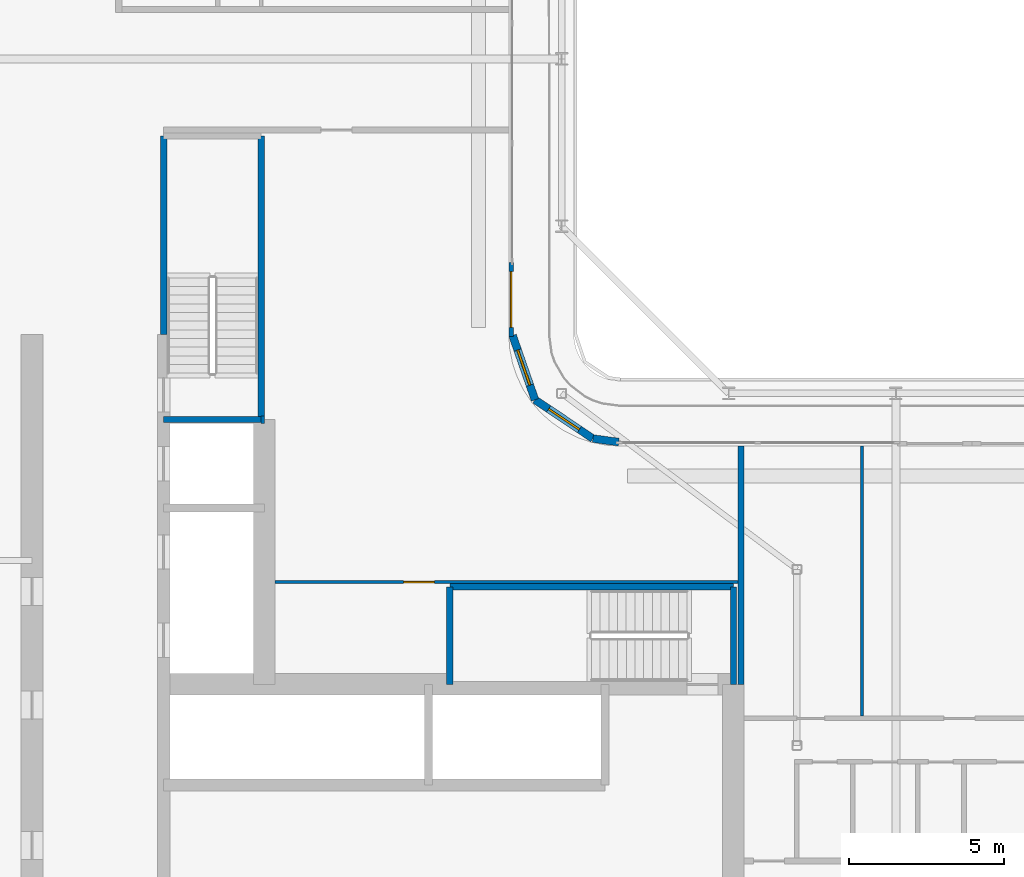
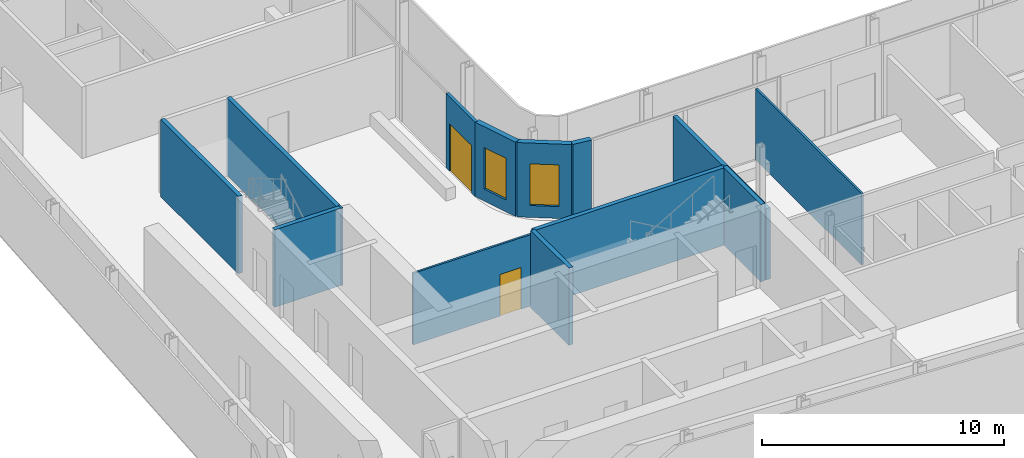
# One storey, part 11 of 23: 14 walls, 2 doors, 2 windows, 4 openings.
"""IFC4 building model written with IfcOpenShell, lengths in metres."""

from ifc_helpers import new_model, si_unit, direction, frame, frame_2d, origin, place, context, subcontext, project, spatial, rectangle, extrude, source, transform, mapped, material, layer, layer_set, type_object, element, fill, save


model = new_model("IFC4")

# Units and contexts
model_context = context("Model", 3, precision=1e-05, world=origin(), true_north=direction((0.0, 1.0)))
body_context = subcontext(model_context, "Body", "Model", "MODEL_VIEW")
ifc_project = project(units=[si_unit("LENGTHUNIT", "METRE"), si_unit("AREAUNIT", "SQUARE_METRE"), si_unit("VOLUMEUNIT", "CUBIC_METRE"), si_unit("PLANEANGLEUNIT", "RADIAN"), si_unit("MASSUNIT", "GRAM", prefix="KILO")], contexts=[model_context])

# Site, building, storey
site_placement = place(None, origin())
site = spatial("IfcSite", under=ifc_project, at=site_placement, CompositionType="ELEMENT")
building_placement = place(site_placement, origin())
building = spatial("IfcBuilding", under=site, at=building_placement, Name="Kheshtan School and Residences Tower", CompositionType="ELEMENT")
storey_placement = place(building_placement, frame((0.0, 0.0, 247.39990234375)))
storey = spatial("IfcBuildingStorey", under=building, at=storey_placement, Name="L58", CompositionType="ELEMENT", Elevation=247.39990234375)

# Wall, opening, window
ifc_material_1 = material(Name="Concrete C40/50 with ceramic cladding and mineral wool insulation", Category="concrete")
ifc_layer_1 = layer(ifc_material_1, 0.25)
ifc_layer_set_1 = layer_set([ifc_layer_1], Name="External wall 250 ceramic clad")
wall_type_1 = type_object("IfcWallType", Name="External wall 250 ceramic clad", PredefinedType="SOLIDWALL", material=ifc_layer_set_1)
wall_1_placement = place(storey_placement, frame((46.01806640625, 47.470947265625, 0.0), z_axis=(0.0, 0.0, 1.0), x_axis=(0.328791208903, -0.944402637093, 0.0)))
wall_1 = element("IfcWall", 1, at=wall_1_placement, inside=storey, type_object=wall_type_1, Name="External wall L58 9", PredefinedType="SOLIDWALL", context=body_context, shape_type="SweptSolid", body=[
    extrude(rectangle(XDim=2.20458984375, YDim=0.25, at=frame_2d((1.102294921875, 0.0))), origin(), (0.0, 0.0, 1.0), 3.75),
])
opening_1_placement = place(wall_1_placement, frame((0.5029296875, 0.0, 0.60009765625)))
opening_1 = element("IfcOpeningElement", 2, at=opening_1_placement, cuts=wall_1, Name="Opening WN-E", PredefinedType="OPENING", context=body_context, shape_type="SweptSolid", body=[
    extrude(rectangle(XDim=1.199951171875, YDim=2.10009765625, at=frame_2d((0.60009765625, 1.050048828125))), frame((0.0, 0.135009765625, 0.0), z_axis=(0.0, -1.0, 0.0), x_axis=(1.0, 0.0, 0.0)), (0.0, 0.0, 1.0), 0.27001953125),
])
ifc_material_2 = material(Name="Clear low-e glass in thermally broken aluminium frame", Category="aluminium")
window_type = type_object("IfcWindowType", Name="Window WN-E", PartitioningType="SINGLE_PANEL", PredefinedType="WINDOW", material=ifc_material_2)
shared_shape_1 = source(origin(), body_context, "Body", "SweptSolid", [
    extrude(rectangle(XDim=1.199951171875, YDim=2.10009765625, at=frame_2d((0.60009765625, 1.050048828125))), frame((0.0, 0.030029296875, 0.0), z_axis=(0.0, -1.0, 0.0), x_axis=(1.0, 0.0, 0.0)), (0.0, 0.0, 1.0), 0.06005859375),
])
window_1_placement = place(opening_1_placement, origin())
window_1 = element("IfcWindow", 3, at=window_1_placement, inside=storey, type_object=window_type, Name="Window L58 9", OverallHeight=2.10009765625, OverallWidth=1.199951171875, PartitioningType="SINGLE_PANEL", PredefinedType="WINDOW", context=body_context, shape_type="MappedRepresentation", body=[
    mapped(shared_shape_1, transform((0.0, 0.0, 0.0), x_axis=(1.0, 0.0, 0.0), y_axis=(0.0, 1.0, 0.0), z_axis=(0.0, 0.0, 1.0), scale=1.0)),
])
fill(opening_1, window_1)

wall_2_placement = place(storey_placement, frame((46.742919921875, 45.388916015625, 0.0), z_axis=(0.0, 0.0, 1.0), x_axis=(0.831449265529, -0.555600682912, 0.0)))
wall_2 = element("IfcWall", 4, at=wall_2_placement, inside=storey, type_object=wall_type_1, Name="External wall L58 10", PredefinedType="SOLIDWALL", context=body_context, shape_type="SweptSolid", body=[
    extrude(rectangle(XDim=2.25146484375, YDim=0.25, at=frame_2d((1.125732421875, 0.0))), origin(), (0.0, 0.0, 1.0), 3.75),
])
opening_2_placement = place(wall_2_placement, frame((0.52490234375, 0.0, 0.60009765625)))
opening_2 = element("IfcOpeningElement", 5, at=opening_2_placement, cuts=wall_2, Name="Opening WN-E", PredefinedType="OPENING", context=body_context, shape_type="SweptSolid", body=[
    extrude(rectangle(XDim=1.199951171875, YDim=2.10009765625, at=frame_2d((0.60009765625, 1.050048828125))), frame((0.0, 0.135009765625, 0.0), z_axis=(0.0, -1.0, 0.0), x_axis=(1.0, 0.0, 0.0)), (0.0, 0.0, 1.0), 0.27001953125),
])
window_2_placement = place(opening_2_placement, origin())
window_2 = element("IfcWindow", 6, at=window_2_placement, inside=storey, type_object=window_type, Name="Window L58 10", OverallHeight=2.10009765625, OverallWidth=1.199951171875, PartitioningType="SINGLE_PANEL", PredefinedType="WINDOW", context=body_context, shape_type="MappedRepresentation", body=[
    mapped(shared_shape_1, transform((0.0, 0.0, 0.0), x_axis=(1.0, 0.0, 0.0), y_axis=(0.0, 1.0, 0.0), z_axis=(0.0, 0.0, 1.0), scale=1.0)),
])
fill(opening_2, window_2)

# Wall
wall_3_placement = place(storey_placement, frame((48.614990234375, 44.137939453125, 0.0), z_axis=(0.0, 0.0, 1.0), x_axis=(0.990741504246, -0.135761819977, 0.0)))
element("IfcWall", 7, at=wall_3_placement, inside=storey, type_object=wall_type_1, Name="External wall L58 11", PredefinedType="SOLIDWALL", context=body_context, shape_type="SweptSolid", body=[
    extrude(rectangle(XDim=0.83984375, YDim=0.25, at=frame_2d((0.419921875, 0.0))), origin(), (0.0, 0.0, 1.0), 3.75),
])

# Wall, opening, door
ifc_material_3 = material(Name="Aluminium frame wall with insulated infill", Category="aluminium")
ifc_layer_2 = layer(ifc_material_3, 0.14990234375)
ifc_layer_set_2 = layer_set([ifc_layer_2], Name="Glazing frame wall 150")
wall_type_2 = type_object("IfcWallType", Name="Glazing frame wall 150", PredefinedType="SOLIDWALL", material=ifc_layer_set_2)
wall_4_placement = place(storey_placement, frame((45.97509765625, 49.830078125, 0.0), z_axis=(0.0, 0.0, 1.0), x_axis=(0.0, -1.0, 0.0)))
wall_4 = element("IfcWall", 8, at=wall_4_placement, inside=storey, type_object=wall_type_2, Name="Balcony door wall L58 8.5", PredefinedType="SOLIDWALL", context=body_context, shape_type="SweptSolid", body=[
    extrude(rectangle(XDim=2.400146484375, YDim=0.14990234375, at=frame_2d((1.2001953125, 0.0))), origin(), (0.0, 0.0, 1.0), 3.75),
])
opening_3_placement = place(wall_4_placement, frame((0.300048828125, 0.0, 0.0)))
opening_3 = element("IfcOpeningElement", 9, at=opening_3_placement, cuts=wall_4, Name="Opening BD", PredefinedType="OPENING", context=body_context, shape_type="SweptSolid", body=[
    extrude(rectangle(XDim=1.800048828125, YDim=2.39990234375, at=frame_2d((0.89990234375, 1.199951171875))), frame((0.0, 0.0849609375, 0.0), z_axis=(0.0, -1.0, 0.0), x_axis=(1.0, 0.0, 0.0)), (0.0, 0.0, 1.0), 0.169921875),
])
door_type_1 = type_object("IfcDoorType", Name="Balcony sliding door", OperationType="SLIDING_TO_LEFT", PredefinedType="DOOR", material=ifc_material_2)
shared_shape_2 = source(origin(), body_context, "Body", "SweptSolid", [
    extrude(rectangle(XDim=1.800048828125, YDim=2.39990234375, at=frame_2d((0.89990234375, 1.199951171875))), frame((0.0, 0.02490234375, 0.0), z_axis=(0.0, -1.0, 0.0), x_axis=(1.0, 0.0, 0.0)), (0.0, 0.0, 1.0), 0.050048828125),
])
door_1_placement = place(opening_3_placement, origin())
door_1 = element("IfcDoor", 10, at=door_1_placement, inside=storey, type_object=door_type_1, Name="Balcony door L58 8.5", OperationType="SLIDING_TO_LEFT", OverallHeight=2.39990234375, OverallWidth=1.800048828125, PredefinedType="DOOR", context=body_context, shape_type="MappedRepresentation", body=[
    mapped(shared_shape_2, transform((0.0, 0.0, 0.0), x_axis=(1.0, 0.0, 0.0), y_axis=(0.0, 1.0, 0.0), z_axis=(0.0, 0.0, 1.0), scale=1.0)),
])
fill(opening_3, door_1)

ifc_material_4 = material(Name="Gypsum board on steel studs", Category="steel")
ifc_layer_3 = layer(ifc_material_4, 0.10009765625)
ifc_layer_set_3 = layer_set([ifc_layer_3], Name="Gypsum partition 100")
wall_type_3 = type_object("IfcWallType", Name="Gypsum partition 100", PredefinedType="PARTITIONING", material=ifc_layer_set_3)
wall_5_placement = place(storey_placement, frame((38.34912109375, 39.5, 0.0), z_axis=(0.0, 0.0, 1.0), x_axis=(1.0, 0.0, 0.0)))
wall_5 = element("IfcWall", 11, at=wall_5_placement, inside=storey, type_object=wall_type_3, Name="Partition L58-030", PredefinedType="PARTITIONING", context=body_context, shape_type="SweptSolid", body=[
    extrude(rectangle(XDim=14.950927734375, YDim=0.10009765625, at=frame_2d((7.4755859375, 0.0))), origin(), (0.0, 0.0, 1.0), 3.60009765625),
])
opening_4_placement = place(wall_5_placement, frame((4.14697265625, 0.0, 0.0)))
opening_4 = element("IfcOpeningElement", 12, at=opening_4_placement, cuts=wall_5, Name="Opening D58-041", PredefinedType="OPENING", context=body_context, shape_type="SweptSolid", body=[
    extrude(rectangle(XDim=1.0, YDim=2.10009765625, at=frame_2d((0.5, 1.050048828125))), frame((0.0, 0.06005859375, 0.0), z_axis=(0.0, -1.0, 0.0), x_axis=(1.0, 0.0, 0.0)), (0.0, 0.0, 1.0), 0.1201171875),
])
ifc_material_5 = material(Name="Veneered timber door leaf", Category="wood")
door_type_2 = type_object("IfcDoorType", Name="Door 1000 x 2100", OperationType="SINGLE_SWING_LEFT", PredefinedType="DOOR", material=ifc_material_5)
shared_shape_3 = source(origin(), body_context, "Body", "SweptSolid", [
    extrude(rectangle(XDim=1.0, YDim=2.10009765625, at=frame_2d((0.5, 1.050048828125))), frame((0.0, 0.02490234375, 0.0), z_axis=(0.0, -1.0, 0.0), x_axis=(1.0, 0.0, 0.0)), (0.0, 0.0, 1.0), 0.050048828125),
])
door_2_placement = place(opening_4_placement, origin())
door_2 = element("IfcDoor", 13, at=door_2_placement, inside=storey, type_object=door_type_2, Name="Door D58-041", OperationType="SINGLE_SWING_LEFT", OverallHeight=2.10009765625, OverallWidth=1.0, PredefinedType="DOOR", context=body_context, shape_type="MappedRepresentation", body=[
    mapped(shared_shape_3, transform((0.0, 0.0, 0.0), x_axis=(1.0, 0.0, 0.0), y_axis=(0.0, 1.0, 0.0), z_axis=(0.0, 0.0, 1.0), scale=1.0)),
])
fill(opening_4, door_2)

# Walls
wall_6_placement = place(storey_placement, frame((57.300048828125, 35.175048828125, 0.0), z_axis=(0.0, 0.0, 1.0), x_axis=(0.0, 1.0, 0.0)))
element("IfcWall", 14, at=wall_6_placement, inside=storey, type_object=wall_type_3, Name="Partition L58-038", PredefinedType="PARTITIONING", context=body_context, shape_type="SweptSolid", body=[
    extrude(rectangle(XDim=8.724853515625, YDim=0.10009765625, at=frame_2d((4.3623046875, 0.0))), origin(), (0.0, 0.0, 1.0), 3.60009765625),
])
ifc_material_6 = material(Name="Fire-board shaft wall system")
ifc_layer_4 = layer(ifc_material_6, 0.25)
ifc_layer_set_4 = layer_set([ifc_layer_4], Name="Shaft lining wall 250")
wall_type_4 = type_object("IfcWallType", Name="Shaft lining wall 250", PredefinedType="PARTITIONING", material=ifc_layer_set_4)
wall_7_placement = place(storey_placement, frame((37.89990234375, 44.75, 0.0), z_axis=(0.0, 0.0, 1.0), x_axis=(1.0, 0.0, 0.0)))
element("IfcWall", 15, at=wall_7_placement, inside=storey, type_object=wall_type_4, Name="Shaft lining wall", PredefinedType="PARTITIONING", context=body_context, shape_type="SweptSolid", body=[
    extrude(rectangle(XDim=0.10009765625, YDim=0.25, at=frame_2d((0.050048828125, 0.0))), origin(), (0.0, 0.0, 1.0), 3.900146484375),
])
ifc_material_7 = material(Name="Concrete C40/50", Category="concrete")
ifc_layer_5 = layer(ifc_material_7, 0.199951171875)
ifc_layer_set_5 = layer_set([ifc_layer_5], Name="Stair enclosure wall 200 Concrete C40/50")
wall_type_5 = type_object("IfcWallType", Name="Stair enclosure wall 200 Concrete C40/50", PredefinedType="SHEAR", material=ifc_layer_set_5)
wall_8_placement = place(storey_placement, frame((43.989990234375, 39.35009765625, 0.0), z_axis=(0.0, 0.0, 1.0), x_axis=(1.0, 0.0, 0.0)))
element("IfcWall", 16, at=wall_8_placement, inside=storey, type_object=wall_type_5, Name="Stair enclosure wall ST1", PredefinedType="SHEAR", context=body_context, shape_type="SweptSolid", body=[
    extrude(rectangle(XDim=9.159912109375, YDim=0.199951171875, at=frame_2d((4.580078125, 0.0))), origin(), (0.0, 0.0, 1.0), 3.900146484375),
])
for number, where, z_axis, x_axis, name in (
    (17, (43.989990234375, 36.199951171875, 0.0), (0.0, 0.0, 1.0), (0.0, 1.0, 0.0), "Stair enclosure wall ST1"),
    (18, (53.14990234375, 36.199951171875, 0.0), (0.0, 0.0, 1.0), (0.0, 1.0, 0.0), "Stair enclosure wall ST1"),
):
    element("IfcWall", number, at=place(storey_placement, frame(where, z_axis=z_axis, x_axis=x_axis)), inside=storey, type_object=wall_type_5, Name=name, PredefinedType="SHEAR", context=body_context, shape_type="SweptSolid", body=[
        extrude(rectangle(XDim=3.150146484375, YDim=0.199951171875, at=frame_2d((1.5751953125, 0.0))), origin(), (0.0, 0.0, 1.0), 3.900146484375),
    ])
wall_9_placement = place(storey_placement, frame((34.75, 44.75, 0.0), z_axis=(0.0, 0.0, 1.0), x_axis=(1.0, 0.0, 0.0)))
element("IfcWall", 19, at=wall_9_placement, inside=storey, type_object=wall_type_5, Name="Stair enclosure wall ST2", PredefinedType="SHEAR", context=body_context, shape_type="SweptSolid", body=[
    extrude(rectangle(XDim=3.14990234375, YDim=0.199951171875, at=frame_2d((1.574951171875, 0.0))), origin(), (0.0, 0.0, 1.0), 3.900146484375),
])
wall_10_placement = place(storey_placement, frame((34.75, 47.5, 0.0), z_axis=(0.0, 0.0, 1.0), x_axis=(0.0, 1.0, 0.0)))
element("IfcWall", 20, at=wall_10_placement, inside=storey, type_object=wall_type_5, Name="Stair enclosure wall ST2", PredefinedType="SHEAR", context=body_context, shape_type="SweptSolid", body=[
    extrude(rectangle(XDim=6.409912109375, YDim=0.199951171875, at=frame_2d((3.205078125, 0.0))), origin(), (0.0, 0.0, 1.0), 3.900146484375),
])
wall_11_placement = place(storey_placement, frame((37.89990234375, 44.75, 0.0), z_axis=(0.0, 0.0, 1.0), x_axis=(0.0, 1.0, 0.0)))
element("IfcWall", 21, at=wall_11_placement, inside=storey, type_object=wall_type_5, Name="Stair enclosure wall ST2", PredefinedType="SHEAR", context=body_context, shape_type="SweptSolid", body=[
    extrude(rectangle(XDim=9.159912109375, YDim=0.199951171875, at=frame_2d((4.580078125, 0.0))), origin(), (0.0, 0.0, 1.0), 3.900146484375),
])
ifc_material_8 = material(Name="Twin gypsum board on steel studs with mineral wool", Category="steel")
ifc_layer_6 = layer(ifc_material_8, 0.199951171875)
ifc_layer_set_6 = layer_set([ifc_layer_6], Name="Unit demising wall 200")
wall_type_6 = type_object("IfcWallType", Name="Unit demising wall 200", PredefinedType="PARTITIONING", material=ifc_layer_set_6)
wall_12_placement = place(storey_placement, frame((53.39990234375, 36.198974609375, 0.0), z_axis=(0.0, 0.0, 1.0), x_axis=(0.0, 1.0, 0.0)))
element("IfcWall", 22, at=wall_12_placement, inside=storey, type_object=wall_type_6, Name="Partition L58-032", PredefinedType="PARTITIONING", context=body_context, shape_type="SweptSolid", body=[
    extrude(rectangle(XDim=7.700927734375, YDim=0.199951171875, at=frame_2d((3.8505859375, 0.0))), origin(), (0.0, 0.0, 1.0), 3.60009765625),
])

save(model, "model.ifc")
